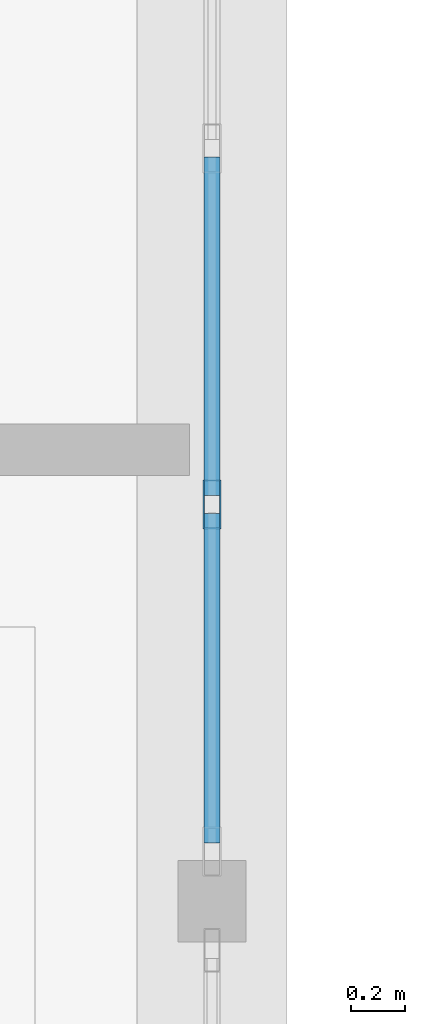
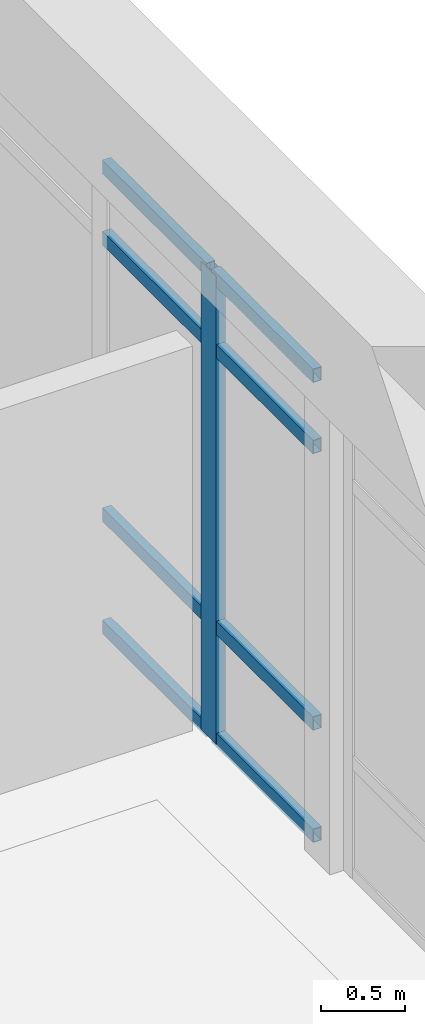
# One storey, part 65 of 109: 9 members, 1 element without a shape of its own.
"""IFC4 building model written with IfcOpenShell, lengths in metres."""

from ifc_helpers import new_model, si_unit, direction, frame, origin, origin_2d, place, context, subcontext, project, spatial, hollow_rectangle, extrude, material, layer, layer_set, material_profile, profile_set, type_object, element, aggregate, save


model = new_model("IFC4")

# Units and contexts
model_context = context("Model", 3, precision=1e-05, world=origin(), true_north=direction((0.0, 1.0)))
body_context = subcontext(model_context, "Body", "Model", "MODEL_VIEW")
ifc_project = project(units=[si_unit("LENGTHUNIT", "METRE"), si_unit("AREAUNIT", "SQUARE_METRE"), si_unit("VOLUMEUNIT", "CUBIC_METRE"), si_unit("PLANEANGLEUNIT", "RADIAN"), si_unit("MASSUNIT", "GRAM", prefix="KILO")], contexts=[model_context])

# Site, building, storey
site_placement = place(None, origin())
site = spatial("IfcSite", under=ifc_project, at=site_placement, CompositionType="ELEMENT")
building_placement = place(site_placement, origin())
building = spatial("IfcBuilding", under=site, at=building_placement, Name="Fikremerkos Civic Library", CompositionType="ELEMENT")
storey_placement = place(building_placement, frame((0.0, 0.0, 5.39990234375)))
storey = spatial("IfcBuildingStorey", under=building, at=storey_placement, Name="L01", CompositionType="ELEMENT", Elevation=5.39990234375)

# Curtain wall, members
ifc_material = material(Name="Anodized aluminium Frame", Category="aluminium")
ifc_layer = layer(ifc_material, 0.159912109375, Name="Anodized aluminium Frame")
ifc_layer_set = layer_set([ifc_layer], Name="Anodized aluminium Frame")
curtain_wall_type = type_object("IfcCurtainWallType", Name="Unitised curtain wall CW-05 3800x4100", PredefinedType="USERDEFINED", material=ifc_layer_set)
curtain_wall_placement = place(storey_placement, origin())
curtain_wall = element("IfcCurtainWall", 1, at=curtain_wall_placement, inside=storey, type_object=curtain_wall_type, Name="Unitised curtain wall CW-05 L01 #113", ObjectType="UNITISED CURTAIN WALL", PredefinedType="USERDEFINED")
ifc_material_profile_1 = material_profile(ifc_material, hollow_rectangle(XDim=0.06494140625, YDim=0.179931640625, WallThickness=0.00439453125, at=origin_2d()), Name="ALU 180x65x4.5")
ifc_profile_set_1 = profile_set([ifc_material_profile_1], Name="Anodized aluminium Frame")
member_type_1 = type_object("IfcMemberType", Name="Curtain mullion CWM-01 ALU 180x65x4.5", PredefinedType="MULLION", material=ifc_profile_set_1)
member_1_placement = place(storey_placement, frame((134.39990234375, 104.849609375, 0.0), z_axis=(0.0, 0.0, 1.0), x_axis=(1.0, 0.0, 0.0)))
member_1 = element("IfcMember", 2, at=member_1_placement, type_object=member_type_1, Name="CW-05 mullion 5", PredefinedType="MULLION", context=body_context, shape_type="SweptSolid", body=[
    extrude(hollow_rectangle(XDim=0.06494140625, YDim=0.179931640625, WallThickness=0.00439453125, at=origin_2d()), origin(), (0.0, 0.0, 1.0), 3.420166015625),
])
ifc_material_profile_2 = material_profile(ifc_material, hollow_rectangle(XDim=0.06005859375, YDim=0.10009765625, WallThickness=0.00390625, at=origin_2d()), Name="ALU 100x60x4")
ifc_profile_set_2 = profile_set([ifc_material_profile_2], Name="Anodized aluminium Frame")
member_type_2 = type_object("IfcMemberType", Name="Curtain transom CWT-03 ALU 100x60x4", PredefinedType="USERDEFINED", material=ifc_profile_set_2)
member_2_placement = place(storey_placement, frame((134.39990234375, 106.125732421875, 0.030029296875), z_axis=(0.0, -1.0, 0.0), x_axis=(1.0, 0.0, 0.0)))
member_2 = element("IfcMember", 3, at=member_2_placement, type_object=member_type_2, Name="CW-05 transom 4.1", ObjectType="TRANSOM", PredefinedType="USERDEFINED", context=body_context, shape_type="SweptSolid", body=[
    extrude(hollow_rectangle(XDim=0.06005859375, YDim=0.10009765625, WallThickness=0.00390625, at=origin_2d()), origin(), (0.0, 0.0, 1.0), 1.24365234375),
])
member_3_placement = place(storey_placement, frame((134.39990234375, 106.125732421875, 0.85009765625), z_axis=(0.0, -1.0, 0.0), x_axis=(1.0, 0.0, 0.0)))
member_3 = element("IfcMember", 4, at=member_3_placement, type_object=member_type_2, Name="CW-05 transom 4.2", ObjectType="TRANSOM", PredefinedType="USERDEFINED", context=body_context, shape_type="SweptSolid", body=[
    extrude(hollow_rectangle(XDim=0.06005859375, YDim=0.10009765625, WallThickness=0.00390625, at=origin_2d()), origin(), (0.0, 0.0, 1.0), 1.24365234375),
])
member_4_placement = place(storey_placement, frame((134.39990234375, 106.125732421875, 2.8701171875), z_axis=(0.0, -1.0, 0.0), x_axis=(1.0, 0.0, 0.0)))
member_4 = element("IfcMember", 5, at=member_4_placement, type_object=member_type_2, Name="CW-05 transom 4.3", ObjectType="TRANSOM", PredefinedType="USERDEFINED", context=body_context, shape_type="SweptSolid", body=[
    extrude(hollow_rectangle(XDim=0.06005859375, YDim=0.10009765625, WallThickness=0.00390625, at=origin_2d()), origin(), (0.0, 0.0, 1.0), 1.24365234375),
])
member_5_placement = place(storey_placement, frame((134.39990234375, 106.125732421875, 3.39013671875), z_axis=(0.0, -1.0, 0.0), x_axis=(1.0, 0.0, 0.0)))
member_5 = element("IfcMember", 6, at=member_5_placement, type_object=member_type_2, Name="CW-05 transom 4.4", ObjectType="TRANSOM", PredefinedType="USERDEFINED", context=body_context, shape_type="SweptSolid", body=[
    extrude(hollow_rectangle(XDim=0.06005859375, YDim=0.10009765625, WallThickness=0.00390625, at=origin_2d()), origin(), (0.0, 0.0, 1.0), 1.24365234375),
])
member_6_placement = place(storey_placement, frame((134.39990234375, 104.817138671875, 0.030029296875), z_axis=(0.0, -1.0, 0.0), x_axis=(1.0, 0.0, 0.0)))
member_6 = element("IfcMember", 7, at=member_6_placement, type_object=member_type_2, Name="CW-05 transom 5.1", ObjectType="TRANSOM", PredefinedType="USERDEFINED", context=body_context, shape_type="SweptSolid", body=[
    extrude(hollow_rectangle(XDim=0.06005859375, YDim=0.10009765625, WallThickness=0.00390625, at=origin_2d()), origin(), (0.0, 0.0, 1.0), 1.211181640625),
])
member_7_placement = place(storey_placement, frame((134.39990234375, 104.817138671875, 0.85009765625), z_axis=(0.0, -1.0, 0.0), x_axis=(1.0, 0.0, 0.0)))
member_7 = element("IfcMember", 8, at=member_7_placement, type_object=member_type_2, Name="CW-05 transom 5.2", ObjectType="TRANSOM", PredefinedType="USERDEFINED", context=body_context, shape_type="SweptSolid", body=[
    extrude(hollow_rectangle(XDim=0.06005859375, YDim=0.10009765625, WallThickness=0.00390625, at=origin_2d()), origin(), (0.0, 0.0, 1.0), 1.211181640625),
])
member_8_placement = place(storey_placement, frame((134.39990234375, 104.817138671875, 2.8701171875), z_axis=(0.0, -1.0, 0.0), x_axis=(1.0, 0.0, 0.0)))
member_8 = element("IfcMember", 9, at=member_8_placement, type_object=member_type_2, Name="CW-05 transom 5.3", ObjectType="TRANSOM", PredefinedType="USERDEFINED", context=body_context, shape_type="SweptSolid", body=[
    extrude(hollow_rectangle(XDim=0.06005859375, YDim=0.10009765625, WallThickness=0.00390625, at=origin_2d()), origin(), (0.0, 0.0, 1.0), 1.211181640625),
])
member_9_placement = place(storey_placement, frame((134.39990234375, 104.817138671875, 3.39013671875), z_axis=(0.0, -1.0, 0.0), x_axis=(1.0, 0.0, 0.0)))
member_9 = element("IfcMember", 10, at=member_9_placement, type_object=member_type_2, Name="CW-05 transom 5.4", ObjectType="TRANSOM", PredefinedType="USERDEFINED", context=body_context, shape_type="SweptSolid", body=[
    extrude(hollow_rectangle(XDim=0.06005859375, YDim=0.10009765625, WallThickness=0.00390625, at=origin_2d()), origin(), (0.0, 0.0, 1.0), 1.211181640625),
])
aggregate(curtain_wall, [member_1, member_2, member_3, member_4, member_5, member_6, member_7, member_8, member_9])

save(model, "model.ifc")
